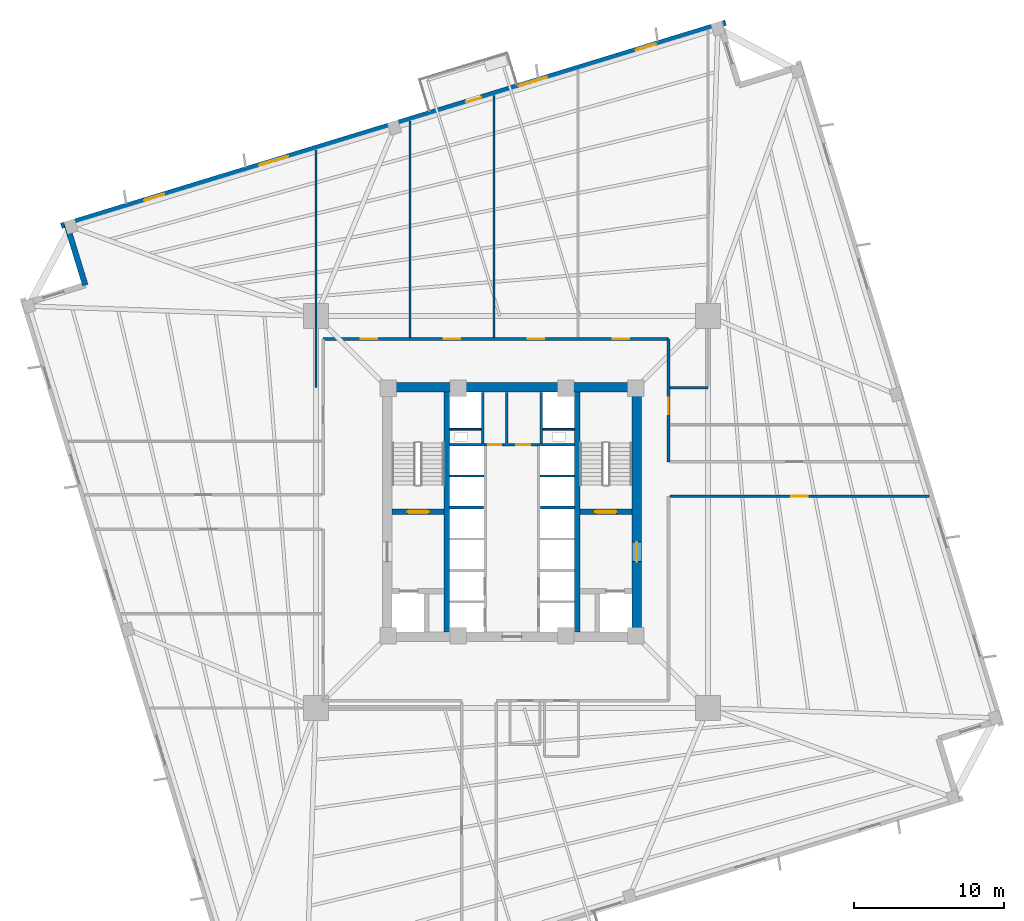
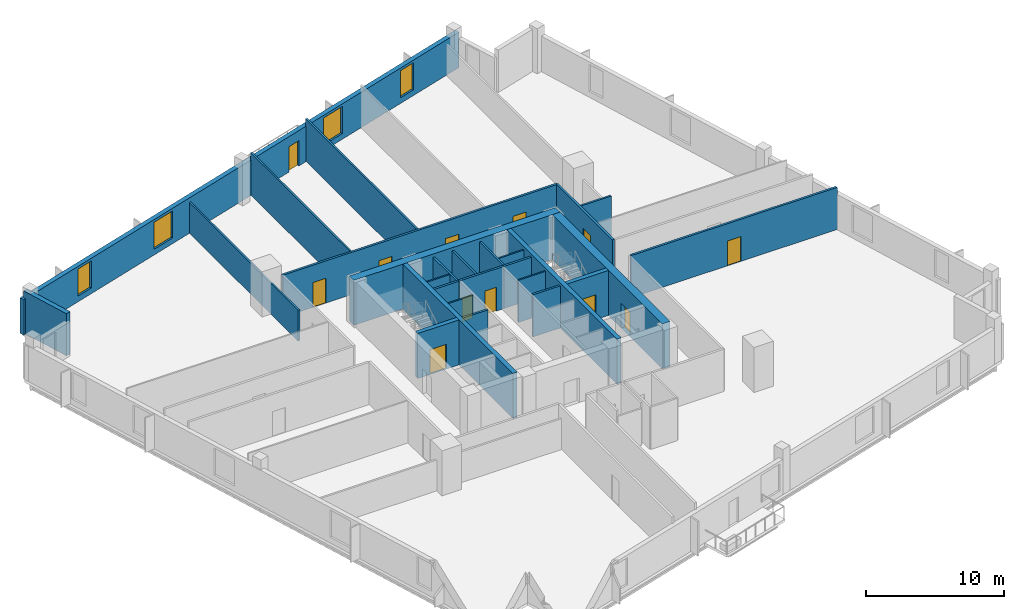
# One storey, part 4 of 8: 27 walls, 12 doors, 4 windows, 16 openings.
"""IFC4 building model written with IfcOpenShell, lengths in metres."""

from ifc_helpers import new_model, si_unit, direction, frame, frame_2d, origin, place, context, subcontext, project, spatial, rectangle, extrude, source, transform, mapped, material, layer, layer_set, type_object, element, fill, save


model = new_model("IFC4")

# Units and contexts
model_context = context("Model", 3, precision=1e-05, world=origin(), true_north=direction((0.0, 1.0)))
body_context = subcontext(model_context, "Body", "Model", "MODEL_VIEW")
ifc_project = project(units=[si_unit("LENGTHUNIT", "METRE"), si_unit("AREAUNIT", "SQUARE_METRE"), si_unit("VOLUMEUNIT", "CUBIC_METRE"), si_unit("PLANEANGLEUNIT", "RADIAN"), si_unit("MASSUNIT", "GRAM", prefix="KILO"), si_unit("THERMODYNAMICTEMPERATUREUNIT", "KELVIN")], contexts=[model_context])

# Site, building, storey
site_placement = place(None, origin())
site = spatial("IfcSite", under=ifc_project, at=site_placement, CompositionType="ELEMENT")
building_placement = place(site_placement, origin())
building = spatial("IfcBuilding", under=site, at=building_placement, Name="Kosmvard Interchange Tower", CompositionType="ELEMENT")
storey_placement = place(building_placement, frame((0.0, 0.0, 91.199951171875)))
storey = spatial("IfcBuildingStorey", under=building, at=storey_placement, Name="L21", CompositionType="ELEMENT", Elevation=91.199951171875)

# Walls
ifc_material_1 = material(Name="Acoustic gypsum partition system")
ifc_layer_1 = layer(ifc_material_1, 0.14990234375, Name="Acoustic gypsum partition system")
ifc_layer_set_1 = layer_set([ifc_layer_1], Name="Acoustic gypsum partition system")
wall_type_1 = type_object("IfcWallType", Name="Acoustic Suite & Meeting Partition 150", PredefinedType="PARTITIONING", material=ifc_layer_set_1)
wall_1_placement = place(storey_placement, frame((-13.0810546875, 8.300048828125, 0.0), z_axis=(0.0, 0.0, 1.0), x_axis=(0.0, 1.0, 0.0)))
element("IfcWall", 1, at=wall_1_placement, inside=storey, type_object=wall_type_1, Name="L21 Room Partition 02.1", PredefinedType="PARTITIONING", context=body_context, shape_type="SweptSolid", body=[
    extrude(rectangle(XDim=15.866455078125, YDim=0.14990234375, at=frame_2d((7.93310546875, 0.0))), origin(), (0.0, 0.0, 1.0), 2.73193359375),
])
wall_2_placement = place(storey_placement, frame((-6.800048828125, 11.64501953125, 0.0), z_axis=(0.0, 0.0, 1.0), x_axis=(0.0, 1.0, 0.0)))
element("IfcWall", 2, at=wall_2_placement, inside=storey, type_object=wall_type_1, Name="L21 Room Partition 03.1", PredefinedType="PARTITIONING", context=body_context, shape_type="SweptSolid", body=[
    extrude(rectangle(XDim=14.441650390625, YDim=0.14990234375, at=frame_2d((7.220703125, 0.0))), origin(), (0.0, 0.0, 1.0), 3.739990234375),
])
wall_3_placement = place(storey_placement, frame((-1.199951171875, 11.64501953125, 0.0), z_axis=(0.0, 0.0, 1.0), x_axis=(0.0, 1.0, 0.0)))
element("IfcWall", 3, at=wall_3_placement, inside=storey, type_object=wall_type_1, Name="L21 Room Partition 04.1", PredefinedType="PARTITIONING", context=body_context, shape_type="SweptSolid", body=[
    extrude(rectangle(XDim=16.15380859375, YDim=0.14990234375, at=frame_2d((8.076904296875, 0.0))), origin(), (0.0, 0.0, 1.0), 3.739990234375),
])
wall_4_placement = place(storey_placement, frame((10.544921875, 8.300048828125, 0.0), z_axis=(0.0, 0.0, 1.0), x_axis=(1.0, 0.0, 0.0)))
element("IfcWall", 4, at=wall_4_placement, inside=storey, type_object=wall_type_1, Name="L21 Room Partition 06.1", PredefinedType="PARTITIONING", context=body_context, shape_type="SweptSolid", body=[
    extrude(rectangle(XDim=2.5361328125, YDim=0.14990234375, at=frame_2d((1.26806640625, 0.0))), origin(), (0.0, 0.0, 1.0), 3.739990234375),
])
ifc_material_2 = material(Name="Fire-rated gypsum partition system")
ifc_layer_2 = layer(ifc_material_2, 0.159912109375, Name="Fire-rated gypsum partition system")
ifc_layer_set_2 = layer_set([ifc_layer_2], Name="Fire-rated gypsum partition system")
wall_type_2 = type_object("IfcWallType", Name="Core Compartment & Shuttle Lobby Partition 160", PredefinedType="PARTITIONING", material=ifc_layer_set_2)
for number, where, z_axis, x_axis, name in (
    (5, (-1.9599609375, 4.580078125, 0.0), (0.0, 0.0, 1.0), (0.0, 1.0, 0.0), "L21 North Core West Wall"),
    (6, (1.9599609375, 4.580078125, 0.0), (0.0, 0.0, 1.0), (0.0, 1.0, 0.0), "L21 North Core East Wall"),
):
    element("IfcWall", number, at=place(storey_placement, frame(where, z_axis=z_axis, x_axis=x_axis)), inside=storey, type_object=wall_type_2, Name=name, PredefinedType="PARTITIONING", context=body_context, shape_type="SweptSolid", body=[
        extrude(rectangle(XDim=3.39990234375, YDim=0.159912109375, at=frame_2d((1.699951171875, 0.0))), origin(), (0.0, 0.0, 1.0), 3.739990234375),
    ])
ifc_material_3 = material(Name="Concrete blockwork masonry", Category="masonry")
ifc_layer_3 = layer(ifc_material_3, 0.159912109375, Name="Concrete blockwork masonry")
ifc_layer_set_3 = layer_set([ifc_layer_3], Name="Concrete blockwork masonry")
wall_type_3 = type_object("IfcWallType", Name="Core Enclosure Split Wall 160", PredefinedType="PARTITIONING", material=ifc_layer_set_3)
wall_5_placement = place(storey_placement, frame((-0.35009765625, 4.60009765625, 0.0), z_axis=(0.0, 0.0, 1.0), x_axis=(0.0, 1.0, 0.0)))
element("IfcWall", 7, at=wall_5_placement, inside=storey, type_object=wall_type_3, Name="L21 Core K2 Split Wall", PredefinedType="PARTITIONING", context=body_context, shape_type="SweptSolid", body=[
    extrude(rectangle(XDim=3.3798828125, YDim=0.159912109375, at=frame_2d((1.68994140625, 0.0))), origin(), (0.0, 0.0, 1.0), 3.739990234375),
])

# Wall, openings, doors
ifc_layer_4 = layer(ifc_material_2, 0.179931640625, Name="Fire-rated gypsum partition system")
ifc_layer_set_4 = layer_set([ifc_layer_4], Name="Fire-rated gypsum partition system")
wall_type_4 = type_object("IfcWallType", Name="Corridor & Hotel Compartment Partition 180", PredefinedType="PARTITIONING", material=ifc_layer_set_4)
wall_6_placement = place(storey_placement, frame((-1.8798828125, 4.489990234375, 0.0), z_axis=(0.0, 0.0, 1.0), x_axis=(1.0, 0.0, 0.0)))
wall_6 = element("IfcWall", 8, at=wall_6_placement, inside=storey, type_object=wall_type_4, Name="L21 Lift Lobby North Partition", PredefinedType="PARTITIONING", context=body_context, shape_type="SweptSolid", body=[
    extrude(rectangle(XDim=3.759765625, YDim=0.179931640625, at=frame_2d((1.8798828125, 0.0))), origin(), (0.0, 0.0, 1.0), 3.739990234375),
])
opening_1_placement = place(wall_6_placement, frame((0.280029296875, 0.0, 0.0)))
opening_1 = element("IfcOpeningElement", 9, at=opening_1_placement, cuts=wall_6, Name="Opening L21-KD1", PredefinedType="OPENING", context=body_context, shape_type="SweptSolid", body=[
    extrude(rectangle(XDim=0.8798828125, YDim=2.10009765625, at=frame_2d((0.43994140625, 1.050048828125))), frame((0.0, 0.10009765625, 0.0), z_axis=(0.0, -1.0, 0.0), x_axis=(1.0, 0.0, 0.0)), (0.0, 0.0, 1.0), 0.199951171875),
])
opening_2_placement = place(wall_6_placement, frame((2.14990234375, 0.0, 0.0)))
opening_2 = element("IfcOpeningElement", 10, at=opening_2_placement, cuts=wall_6, Name="Opening L21-KD2", PredefinedType="OPENING", context=body_context, shape_type="SweptSolid", body=[
    extrude(rectangle(XDim=0.949951171875, YDim=2.10009765625, at=frame_2d((0.47509765625, 1.050048828125))), frame((0.0, 0.10009765625, 0.0), z_axis=(0.0, -1.0, 0.0), x_axis=(1.0, 0.0, 0.0)), (0.0, 0.0, 1.0), 0.199951171875),
])
ifc_material_4 = material(Name="Painted fire-rated timber leaf", Category="wood")
door_type_1 = type_object("IfcDoorType", Name="Core Service Fire Door 950x2100 EI30", OperationType="NOTDEFINED", PredefinedType="DOOR", material=ifc_material_4)
shared_shape_1 = source(origin(), body_context, "Body", "SweptSolid", [
    extrude(rectangle(XDim=0.949951171875, YDim=2.10009765625, at=frame_2d((0.47509765625, 1.050048828125))), frame((0.0, 0.02490234375, 0.0), z_axis=(0.0, -1.0, 0.0), x_axis=(1.0, 0.0, 0.0)), (0.0, 0.0, 1.0), 0.050048828125),
])
door_1_placement = place(opening_2_placement, origin())
door_1 = element("IfcDoor", 11, at=door_1_placement, inside=storey, type_object=door_type_1, Name="L21 Core Tea Pantry Door", OperationType="SINGLE_SWING_RIGHT", OverallHeight=2.10009765625, OverallWidth=0.949951171875, PredefinedType="DOOR", context=body_context, shape_type="MappedRepresentation", body=[
    mapped(shared_shape_1, transform((0.0, 0.0, 0.0), scale=1.0)),
])
fill(opening_2, door_1)
door_type_2 = type_object("IfcDoorType", Name="Core Cupboard Fire Door 880x2100 EI30", OperationType="NOTDEFINED", PredefinedType="DOOR", material=ifc_material_4)
shared_shape_2 = source(origin(), body_context, "Body", "SweptSolid", [
    extrude(rectangle(XDim=0.8798828125, YDim=2.10009765625, at=frame_2d((0.43994140625, 1.050048828125))), frame((0.0, 0.02490234375, 0.0), z_axis=(0.0, -1.0, 0.0), x_axis=(1.0, 0.0, 0.0)), (0.0, 0.0, 1.0), 0.050048828125),
])
door_2_placement = place(opening_1_placement, origin())
door_2 = element("IfcDoor", 12, at=door_2_placement, inside=storey, type_object=door_type_2, Name="L21 Core Cleaner Cupboard Door", OperationType="SINGLE_SWING_LEFT", OverallHeight=2.10009765625, OverallWidth=0.8798828125, PredefinedType="DOOR", context=body_context, shape_type="MappedRepresentation", body=[
    mapped(shared_shape_2, transform((0.0, 0.0, 0.0), scale=1.0)),
])
fill(opening_1, door_2)

wall_7_placement = place(storey_placement, frame((-12.60009765625, 11.550048828125, 0.0), z_axis=(0.0, 0.0, 1.0), x_axis=(1.0, 0.0, 0.0)))
wall_7 = element("IfcWall", 13, at=wall_7_placement, inside=storey, type_object=wall_type_4, Name="L21 Corridor Wall CN", PredefinedType="PARTITIONING", context=body_context, shape_type="SweptSolid", body=[
    extrude(rectangle(XDim=23.050048828125, YDim=0.179931640625, at=frame_2d((11.52490234375, 0.0))), origin(), (0.0, 0.0, 1.0), 3.739990234375),
])
opening_3_placement = place(wall_7_placement, frame((2.514404296875, 0.0, 0.0)))
opening_3 = element("IfcOpeningElement", 14, at=opening_3_placement, cuts=wall_7, Name="Opening L21-D05", PredefinedType="OPENING", context=body_context, shape_type="SweptSolid", body=[
    extrude(rectangle(XDim=1.10009765625, YDim=2.199951171875, at=frame_2d((0.550048828125, 1.10009765625))), frame((0.0, 0.10009765625, 0.0), z_axis=(0.0, -1.0, 0.0), x_axis=(1.0, 0.0, 0.0)), (0.0, 0.0, 1.0), 0.199951171875),
])
opening_4_placement = place(wall_7_placement, frame((8.050048828125, 0.0, 0.0)))
opening_4 = element("IfcOpeningElement", 15, at=opening_4_placement, cuts=wall_7, Name="Opening L21-D06", PredefinedType="OPENING", context=body_context, shape_type="SweptSolid", body=[
    extrude(rectangle(XDim=1.10009765625, YDim=2.199951171875, at=frame_2d((0.550048828125, 1.10009765625))), frame((0.0, 0.10009765625, 0.0), z_axis=(0.0, -1.0, 0.0), x_axis=(1.0, 0.0, 0.0)), (0.0, 0.0, 1.0), 0.199951171875),
])
opening_5_placement = place(wall_7_placement, frame((13.64990234375, 0.0, 0.0)))
opening_5 = element("IfcOpeningElement", 16, at=opening_5_placement, cuts=wall_7, Name="Opening L21-D07", PredefinedType="OPENING", context=body_context, shape_type="SweptSolid", body=[
    extrude(rectangle(XDim=1.10009765625, YDim=2.199951171875, at=frame_2d((0.550048828125, 1.10009765625))), frame((0.0, 0.10009765625, 0.0), z_axis=(0.0, -1.0, 0.0), x_axis=(1.0, 0.0, 0.0)), (0.0, 0.0, 1.0), 0.199951171875),
])
opening_6_placement = place(wall_7_placement, frame((19.310546875, 0.0, 0.0)))
opening_6 = element("IfcOpeningElement", 17, at=opening_6_placement, cuts=wall_7, Name="Opening L21-D08", PredefinedType="OPENING", context=body_context, shape_type="SweptSolid", body=[
    extrude(rectangle(XDim=1.10009765625, YDim=2.199951171875, at=frame_2d((0.550048828125, 1.10009765625))), frame((0.0, 0.10009765625, 0.0), z_axis=(0.0, -1.0, 0.0), x_axis=(1.0, 0.0, 0.0)), (0.0, 0.0, 1.0), 0.199951171875),
])
ifc_material_5 = material(Name="Engineered oak fire-rated timber", Category="wood")
door_type_3 = type_object("IfcDoorType", Name="Office Suite Entrance Door 1100x2200 FD30S", OperationType="NOTDEFINED", PredefinedType="DOOR", material=ifc_material_5)
shared_shape_3 = source(origin(), body_context, "Body", "SweptSolid", [
    extrude(rectangle(XDim=1.10009765625, YDim=2.199951171875, at=frame_2d((0.550048828125, 1.10009765625))), frame((0.0, 0.02490234375, 0.0), z_axis=(0.0, -1.0, 0.0), x_axis=(1.0, 0.0, 0.0)), (0.0, 0.0, 1.0), 0.050048828125),
])
door_3_placement = place(opening_3_placement, origin())
door_3 = element("IfcDoor", 18, at=door_3_placement, inside=storey, type_object=door_type_3, Name="L21 Corporate Office 3 Door", OperationType="SINGLE_SWING_LEFT", OverallHeight=2.199951171875, OverallWidth=1.10009765625, PredefinedType="DOOR", context=body_context, shape_type="MappedRepresentation", body=[
    mapped(shared_shape_3, transform((0.0, 0.0, 0.0), scale=1.0)),
])
fill(opening_3, door_3)
door_4_placement = place(opening_4_placement, origin())
door_4 = element("IfcDoor", 19, at=door_4_placement, inside=storey, type_object=door_type_3, Name="L21 Corporate Office 4 Door", OperationType="SINGLE_SWING_RIGHT", OverallHeight=2.199951171875, OverallWidth=1.10009765625, PredefinedType="DOOR", context=body_context, shape_type="MappedRepresentation", body=[
    mapped(shared_shape_3, transform((0.0, 0.0, 0.0), scale=1.0)),
])
fill(opening_4, door_4)
door_5_placement = place(opening_5_placement, origin())
door_5 = element("IfcDoor", 20, at=door_5_placement, inside=storey, type_object=door_type_3, Name="L21 Corporate Office 5 Door", OperationType="SINGLE_SWING_LEFT", OverallHeight=2.199951171875, OverallWidth=1.10009765625, PredefinedType="DOOR", context=body_context, shape_type="MappedRepresentation", body=[
    mapped(shared_shape_3, transform((0.0, 0.0, 0.0), scale=1.0)),
])
fill(opening_5, door_5)
door_6_placement = place(opening_6_placement, origin())
door_6 = element("IfcDoor", 21, at=door_6_placement, inside=storey, type_object=door_type_3, Name="L21 Boardroom 1 Door", OperationType="SINGLE_SWING_RIGHT", OverallHeight=2.199951171875, OverallWidth=1.10009765625, PredefinedType="DOOR", context=body_context, shape_type="MappedRepresentation", body=[
    mapped(shared_shape_3, transform((0.0, 0.0, 0.0), scale=1.0)),
])
fill(opening_6, door_6)

# Wall, opening, door
wall_8_placement = place(storey_placement, frame((10.449951171875, 3.35009765625, 0.0), z_axis=(0.0, 0.0, 1.0), x_axis=(0.0, 1.0, 0.0)))
wall_8 = element("IfcWall", 22, at=wall_8_placement, inside=storey, type_object=wall_type_4, Name="L21 Corridor Wall CEN", PredefinedType="PARTITIONING", context=body_context, shape_type="SweptSolid", body=[
    extrude(rectangle(XDim=8.199951171875, YDim=0.179931640625, at=frame_2d((4.10009765625, 0.0))), origin(), (0.0, 0.0, 1.0), 3.739990234375),
])
opening_7_placement = place(wall_8_placement, frame((3.16259765625, 0.0, 0.0)))
opening_7 = element("IfcOpeningElement", 23, at=opening_7_placement, cuts=wall_8, Name="Opening L21-D10", PredefinedType="OPENING", context=body_context, shape_type="SweptSolid", body=[
    extrude(rectangle(XDim=1.10009765625, YDim=2.199951171875, at=frame_2d((0.550048828125, 1.10009765625))), frame((0.0, 0.10009765625, 0.0), z_axis=(0.0, -1.0, 0.0), x_axis=(1.0, 0.0, 0.0)), (0.0, 0.0, 1.0), 0.199951171875),
])
door_7_placement = place(opening_7_placement, frame((1.10009765625, 0.0, 0.0), z_axis=(0.0, 0.0, 1.0), x_axis=(-1.0, 0.0, 0.0)))
door_7 = element("IfcDoor", 24, at=door_7_placement, inside=storey, type_object=door_type_3, Name="L21 Corporate Office 7 Door", OperationType="SINGLE_SWING_RIGHT", OverallHeight=2.199951171875, OverallWidth=1.10009765625, PredefinedType="DOOR", context=body_context, shape_type="MappedRepresentation", body=[
    mapped(shared_shape_3, transform((0.0, 0.0, 0.0), scale=1.0)),
])
fill(opening_7, door_7)

wall_9_placement = place(storey_placement, frame((10.550048828125, 1.050048828125, 0.0), z_axis=(0.0, 0.0, 1.0), x_axis=(1.0, 0.0, 0.0)))
wall_9 = element("IfcWall", 25, at=wall_9_placement, inside=storey, type_object=wall_type_4, Name="L21 Corridor Wall SES", PredefinedType="PARTITIONING", context=body_context, shape_type="SweptSolid", body=[
    extrude(rectangle(XDim=17.294677734375, YDim=0.179931640625, at=frame_2d((8.6474609375, 0.0))), origin(), (0.0, 0.0, 1.0), 3.739990234375),
])
opening_8_placement = place(wall_9_placement, frame((8.097412109375, 0.0, 0.0)))
opening_8 = element("IfcOpeningElement", 26, at=opening_8_placement, cuts=wall_9, Name="Opening L21-D11", PredefinedType="OPENING", context=body_context, shape_type="SweptSolid", body=[
    extrude(rectangle(XDim=1.10009765625, YDim=2.199951171875, at=frame_2d((0.550048828125, 1.10009765625))), frame((0.0, 0.10009765625, 0.0), z_axis=(0.0, -1.0, 0.0), x_axis=(1.0, 0.0, 0.0)), (0.0, 0.0, 1.0), 0.199951171875),
])
door_8_placement = place(opening_8_placement, frame((1.10009765625, 0.0, 0.0), z_axis=(0.0, 0.0, 1.0), x_axis=(-1.0, 0.0, 0.0)))
door_8 = element("IfcDoor", 27, at=door_8_placement, inside=storey, type_object=door_type_3, Name="L21 South-East Corporate Open Workplace Door", OperationType="SINGLE_SWING_LEFT", OverallHeight=2.199951171875, OverallWidth=1.10009765625, PredefinedType="DOOR", context=body_context, shape_type="MappedRepresentation", body=[
    mapped(shared_shape_3, transform((0.0, 0.0, 0.0), scale=1.0)),
])
fill(opening_8, door_8)

# Wall, openings, door, windows
ifc_material_6 = material(Name="Precast concrete C45/55", Category="concrete")
ifc_layer_5 = layer(ifc_material_6, 0.3798828125, Name="Precast concrete C45/55")
ifc_layer_set_5 = layer_set([ifc_layer_5], Name="Precast concrete C45/55")
wall_type_5 = type_object("IfcWallType", Name="Lower Tower Precast Pier Wall 380 C45/55", PredefinedType="STANDARD", material=ifc_layer_set_5)
wall_10_placement = place(storey_placement, frame((14.26513671875, 32.65771484375, 0.0), z_axis=(0.0, 0.0, 1.0), x_axis=(-0.956304320851, -0.292373127906, 0.0)))
wall_10 = element("IfcWall", 28, at=wall_10_placement, inside=storey, type_object=wall_type_5, Name="L21 Precast Facade Wall F-N", PredefinedType="STANDARD", context=body_context, shape_type="SweptSolid", body=[
    extrude(rectangle(XDim=46.380126953125, YDim=0.3798828125, at=frame_2d((23.18994140625, 0.0))), origin(), (0.0, 0.0, 1.0), 3.14013671875),
])
opening_9_placement = place(wall_10_placement, frame((17.06494140625, 0.0, 0.0)))
opening_9 = element("IfcOpeningElement", 29, at=opening_9_placement, cuts=wall_10, Name="Opening L21-BDN", PredefinedType="OPENING", context=body_context, shape_type="SweptSolid", body=[
    extrude(rectangle(XDim=1.050048828125, YDim=2.25, at=frame_2d((0.52490234375, 1.125))), frame((0.0, 0.199951171875, 0.0), z_axis=(0.0, -1.0, 0.0), x_axis=(1.0, 0.0, 0.0)), (0.0, 0.0, 1.0), 0.39990234375),
])
opening_10_placement = place(wall_10_placement, frame((4.865478515625, 0.0, 0.510009765625)))
opening_10 = element("IfcOpeningElement", 30, at=opening_10_placement, cuts=wall_10, Name="Opening L21-W09", PredefinedType="OPENING", context=body_context, shape_type="SweptSolid", body=[
    extrude(rectangle(XDim=1.39990234375, YDim=2.39990234375, at=frame_2d((0.699951171875, 1.199951171875))), frame((0.0, 0.199951171875, 0.0), z_axis=(0.0, -1.0, 0.0), x_axis=(1.0, 0.0, 0.0)), (0.0, 0.0, 1.0), 0.39990234375),
])
opening_11_placement = place(wall_10_placement, frame((12.4501953125, 0.0, 0.510009765625)))
opening_11 = element("IfcOpeningElement", 31, at=opening_11_placement, cuts=wall_10, Name="Opening L21-W10", PredefinedType="OPENING", context=body_context, shape_type="SweptSolid", body=[
    extrude(rectangle(XDim=2.0, YDim=2.39990234375, at=frame_2d((1.0, 1.199951171875))), frame((0.0, 0.199951171875, 0.0), z_axis=(0.0, -1.0, 0.0), x_axis=(1.0, 0.0, 0.0)), (0.0, 0.0, 1.0), 0.39990234375),
])
opening_12_placement = place(wall_10_placement, frame((30.538330078125, 0.0, 0.510009765625)))
opening_12 = element("IfcOpeningElement", 32, at=opening_12_placement, cuts=wall_10, Name="Opening L21-W11", PredefinedType="OPENING", context=body_context, shape_type="SweptSolid", body=[
    extrude(rectangle(XDim=2.0, YDim=2.39990234375, at=frame_2d((1.0, 1.199951171875))), frame((0.0, 0.199951171875, 0.0), z_axis=(0.0, -1.0, 0.0), x_axis=(1.0, 0.0, 0.0)), (0.0, 0.0, 1.0), 0.39990234375),
])
opening_13_placement = place(wall_10_placement, frame((39.186767578125, 0.0, 0.510009765625)))
opening_13 = element("IfcOpeningElement", 33, at=opening_13_placement, cuts=wall_10, Name="Opening L21-W12", PredefinedType="OPENING", context=body_context, shape_type="SweptSolid", body=[
    extrude(rectangle(XDim=1.39990234375, YDim=2.39990234375, at=frame_2d((0.699951171875, 1.199951171875))), frame((0.0, 0.199951171875, 0.0), z_axis=(0.0, -1.0, 0.0), x_axis=(1.0, 0.0, 0.0)), (0.0, 0.0, 1.0), 0.39990234375),
])
ifc_material_7 = material(Name="Anodised aluminium and safety glass", Category="aluminium")
door_type_4 = type_object("IfcDoorType", Name="Tree-Balcony Glazed Door 1050x2250", OperationType="NOTDEFINED", PredefinedType="DOOR", material=ifc_material_7)
shared_shape_4 = source(origin(), body_context, "Body", "SweptSolid", [
    extrude(rectangle(XDim=1.050048828125, YDim=2.25, at=frame_2d((0.52490234375, 1.125))), frame((0.0, 0.02490234375, 0.0), z_axis=(0.0, -1.0, 0.0), x_axis=(1.0, 0.0, 0.0)), (0.0, 0.0, 1.0), 0.050048828125),
])
door_9_placement = place(opening_9_placement, origin())
door_9 = element("IfcDoor", 34, at=door_9_placement, inside=storey, type_object=door_type_4, Name="L21 Tree-Balcony Door BAL-L21-N", OperationType="SINGLE_SWING_RIGHT", OverallHeight=2.25, OverallWidth=1.050048828125, PredefinedType="DOOR", context=body_context, shape_type="MappedRepresentation", body=[
    mapped(shared_shape_4, transform((0.0, 0.0, 0.0), scale=1.0)),
])
fill(opening_9, door_9)
ifc_material_8 = material(Name="Low-E solar-control double glazing", Category="glass")
window_type_1 = type_object("IfcWindowType", Name="Notched Corner Feature Window 1400x2400", PartitioningType="SINGLE_PANEL", PredefinedType="WINDOW", material=ifc_material_8)
shared_shape_5 = source(origin(), body_context, "Body", "SweptSolid", [
    extrude(rectangle(XDim=1.39990234375, YDim=2.39990234375, at=frame_2d((0.699951171875, 1.199951171875))), frame((0.0, 0.030029296875, 0.0), z_axis=(0.0, -1.0, 0.0), x_axis=(1.0, 0.0, 0.0)), (0.0, 0.0, 1.0), 0.06005859375),
])
window_1_placement = place(opening_10_placement, origin())
window_1 = element("IfcWindow", 35, at=window_1_placement, inside=storey, type_object=window_type_1, Name="L21 Facade Punched Window 09", OverallHeight=2.39990234375, OverallWidth=1.39990234375, PartitioningType="SINGLE_PANEL", PredefinedType="WINDOW", context=body_context, shape_type="MappedRepresentation", body=[
    mapped(shared_shape_5, transform((0.0, 0.0, 0.0), scale=1.0)),
])
fill(opening_10, window_1)
window_2_placement = place(opening_13_placement, origin())
window_2 = element("IfcWindow", 36, at=window_2_placement, inside=storey, type_object=window_type_1, Name="L21 Facade Punched Window 12", OverallHeight=2.39990234375, OverallWidth=1.39990234375, PartitioningType="SINGLE_PANEL", PredefinedType="WINDOW", context=body_context, shape_type="MappedRepresentation", body=[
    mapped(shared_shape_5, transform((0.0, 0.0, 0.0), scale=1.0)),
])
fill(opening_13, window_2)
window_type_2 = type_object("IfcWindowType", Name="Zone 2 Office Punched Window 2000x2400", PartitioningType="SINGLE_PANEL", PredefinedType="WINDOW", material=ifc_material_8)
shared_shape_6 = source(origin(), body_context, "Body", "SweptSolid", [
    extrude(rectangle(XDim=2.0, YDim=2.39990234375, at=frame_2d((1.0, 1.199951171875))), frame((0.0, 0.030029296875, 0.0), z_axis=(0.0, -1.0, 0.0), x_axis=(1.0, 0.0, 0.0)), (0.0, 0.0, 1.0), 0.06005859375),
])
window_3_placement = place(opening_11_placement, origin())
window_3 = element("IfcWindow", 37, at=window_3_placement, inside=storey, type_object=window_type_2, Name="L21 Facade Punched Window 10", OverallHeight=2.39990234375, OverallWidth=2.0, PartitioningType="SINGLE_PANEL", PredefinedType="WINDOW", context=body_context, shape_type="MappedRepresentation", body=[
    mapped(shared_shape_6, transform((0.0, 0.0, 0.0), scale=1.0)),
])
fill(opening_11, window_3)
window_4_placement = place(opening_12_placement, origin())
window_4 = element("IfcWindow", 38, at=window_4_placement, inside=storey, type_object=window_type_2, Name="L21 Facade Punched Window 11", OverallHeight=2.39990234375, OverallWidth=2.0, PartitioningType="SINGLE_PANEL", PredefinedType="WINDOW", context=body_context, shape_type="MappedRepresentation", body=[
    mapped(shared_shape_6, transform((0.0, 0.0, 0.0), scale=1.0)),
])
fill(opening_12, window_4)

# Walls
wall_11_placement = place(storey_placement, frame((-29.724853515625, 19.20849609375, 0.0), z_axis=(0.0, 0.0, 1.0), x_axis=(0.292345507338, -0.956312764915, 0.0)))
element("IfcWall", 39, at=wall_11_placement, inside=storey, type_object=wall_type_5, Name="L21 Precast Facade Wall N-NW1", PredefinedType="STANDARD", context=body_context, shape_type="SweptSolid", body=[
    extrude(rectangle(XDim=4.249755859375, YDim=0.3798828125, at=frame_2d((2.125, 0.0))), origin(), (0.0, 0.0, 1.0), 3.739990234375),
])
ifc_material_9 = material(Name="Concrete C70/85", Category="concrete")
ifc_layer_6 = layer(ifc_material_9, 0.64990234375, Name="Concrete C70/85")
ifc_layer_set_6 = layer_set([ifc_layer_6], Name="Concrete C70/85")
wall_type_6 = type_object("IfcWallType", Name="Mid Core Shear Wall 650 C70/85", PredefinedType="SHEAR", material=ifc_layer_set_6)
wall_12_placement = place(storey_placement, frame((-8.64990234375, 8.324951171875, 0.0), z_axis=(0.0, 0.0, 1.0), x_axis=(1.0, 0.0, 0.0)))
element("IfcWall", 40, at=wall_12_placement, inside=storey, type_object=wall_type_6, Name="L21 Core Shear Wall CW-N", PredefinedType="SHEAR", context=body_context, shape_type="SweptSolid", body=[
    extrude(rectangle(XDim=17.2998046875, YDim=0.64990234375, at=frame_2d((8.64990234375, 0.0))), origin(), (0.0, 0.0, 1.0), 4.0),
])

# Wall, opening, door
wall_13_placement = place(storey_placement, frame((8.324951171875, -8.0, 0.0), z_axis=(0.0, 0.0, 1.0), x_axis=(0.0, 1.0, 0.0)))
wall_13 = element("IfcWall", 41, at=wall_13_placement, inside=storey, type_object=wall_type_6, Name="L21 Core Shear Wall CW-E", PredefinedType="SHEAR", context=body_context, shape_type="SweptSolid", body=[
    extrude(rectangle(XDim=16.0, YDim=0.64990234375, at=frame_2d((8.0, 0.0))), origin(), (0.0, 0.0, 1.0), 4.0),
])
opening_14_placement = place(wall_13_placement, frame((4.68994140625, 0.0, 0.0)))
opening_14 = element("IfcOpeningElement", 42, at=opening_14_placement, cuts=wall_13, Name="Opening L21-FD2", PredefinedType="OPENING", context=body_context, shape_type="SweptSolid", body=[
    extrude(rectangle(XDim=1.300048828125, YDim=2.199951171875, at=frame_2d((0.64990234375, 1.10009765625))), frame((0.0, 0.3349609375, 0.0), z_axis=(0.0, -1.0, 0.0), x_axis=(1.0, 0.0, 0.0)), (0.0, 0.0, 1.0), 0.669921875),
])
ifc_material_10 = material(Name="Painted fire-rated steel leaf", Category="steel")
door_type_5 = type_object("IfcDoorType", Name="Firefighting Lobby Door 1300x2200 EI60", OperationType="NOTDEFINED", PredefinedType="DOOR", material=ifc_material_10)
shared_shape_7 = source(origin(), body_context, "Body", "SweptSolid", [
    extrude(rectangle(XDim=1.300048828125, YDim=2.199951171875, at=frame_2d((0.64990234375, 1.10009765625))), frame((0.0, 0.02490234375, 0.0), z_axis=(0.0, -1.0, 0.0), x_axis=(1.0, 0.0, 0.0)), (0.0, 0.0, 1.0), 0.050048828125),
])
door_10_placement = place(opening_14_placement, origin())
door_10 = element("IfcDoor", 43, at=door_10_placement, inside=storey, type_object=door_type_5, Name="L21 Firefighting Lobby East Door", OperationType="SINGLE_SWING_RIGHT", OverallHeight=2.199951171875, OverallWidth=1.300048828125, PredefinedType="DOOR", context=body_context, shape_type="MappedRepresentation", body=[
    mapped(shared_shape_7, transform((0.0, 0.0, 0.0), scale=1.0)),
])
fill(opening_14, door_10)

# Walls
ifc_layer_7 = layer(ifc_material_3, 0.179931640625, Name="Concrete blockwork masonry")
ifc_layer_set_7 = layer_set([ifc_layer_7], Name="Concrete blockwork masonry")
wall_type_7 = type_object("IfcWallType", Name="Riser & Lift Bank Divider Wall 180", PredefinedType="PARTITIONING", material=ifc_layer_set_7)
for number, where, z_axis, x_axis, name in (
    (44, (-4.169921875, 0.300048828125, 0.0), (0.0, 0.0, 1.0), (1.0, 0.0, 0.0), "L21 West Bank Divider BD2"),
    (45, (1.889892578125, 0.300048828125, 0.0), (0.0, 0.0, 1.0), (1.0, 0.0, 0.0), "L21 East Bank Divider BD2"),
    (46, (-4.169921875, 4.489990234375, 0.0), (0.0, 0.0, 1.0), (1.0, 0.0, 0.0), "L21 West Bank Divider BD3"),
    (47, (1.889892578125, 4.489990234375, 0.0), (0.0, 0.0, 1.0), (1.0, 0.0, 0.0), "L21 East Bank Divider BD3"),
):
    element("IfcWall", number, at=place(storey_placement, frame(where, z_axis=z_axis, x_axis=x_axis)), inside=storey, type_object=wall_type_7, Name=name, PredefinedType="PARTITIONING", context=body_context, shape_type="SweptSolid", body=[
        extrude(rectangle(XDim=2.280029296875, YDim=0.179931640625, at=frame_2d((1.14013671875, 0.0))), origin(), (0.0, 0.0, 1.0), 3.739990234375),
    ])
ifc_material_11 = material(Name="Fire-rated gypsum shaftwall system")
ifc_layer_8 = layer(ifc_material_11, 0.1201171875, Name="Fire-rated gypsum shaftwall system")
ifc_layer_set_8 = layer_set([ifc_layer_8], Name="Fire-rated gypsum shaftwall system")
wall_type_8 = type_object("IfcWallType", Name="Shaft & Riser Fire Partition 120 EI60", PredefinedType="PARTITIONING", material=ifc_layer_set_8)
for number, where, z_axis, x_axis, name in (
    (48, (-4.159912109375, 2.39990234375, 0.0), (0.0, 0.0, 1.0), (1.0, 0.0, 0.0), "L21 Shaft Divider PL-H1"),
    (49, (1.89990234375, 2.39990234375, 0.0), (0.0, 0.0, 1.0), (1.0, 0.0, 0.0), "L21 Shaft Divider PL-H3"),
):
    element("IfcWall", number, at=place(storey_placement, frame(where, z_axis=z_axis, x_axis=x_axis)), inside=storey, type_object=wall_type_8, Name=name, PredefinedType="PARTITIONING", context=body_context, shape_type="SweptSolid", body=[
        extrude(rectangle(XDim=2.260009765625, YDim=0.1201171875, at=frame_2d((1.1298828125, 0.0))), origin(), (0.0, 0.0, 1.0), 3.739990234375),
    ])
for number, where, z_axis, x_axis, name in (
    (50, (-4.159912109375, 5.52001953125, 0.0), (0.0, 0.0, 1.0), (1.0, 0.0, 0.0), "L21 Riser Shaft Divider W"),
    (51, (2.06005859375, 5.52001953125, 0.0), (0.0, 0.0, 1.0), (1.0, 0.0, 0.0), "L21 Riser Shaft Divider E"),
):
    element("IfcWall", number, at=place(storey_placement, frame(where, z_axis=z_axis, x_axis=x_axis)), inside=storey, type_object=wall_type_8, Name=name, PredefinedType="PARTITIONING", context=body_context, shape_type="SweptSolid", body=[
        extrude(rectangle(XDim=2.099853515625, YDim=0.1201171875, at=frame_2d((1.0498046875, 0.0))), origin(), (0.0, 0.0, 1.0), 3.739990234375),
    ])
ifc_material_12 = material(Name="Concrete C60/75", Category="concrete")
ifc_layer_9 = layer(ifc_material_12, 0.360107421875, Name="Concrete C60/75")
ifc_layer_set_9 = layer_set([ifc_layer_9], Name="Concrete C60/75")
wall_type_9 = type_object("IfcWallType", Name="Stair & Lift Shaft Shear Wall 360 C60/75", PredefinedType="SHEAR", material=ifc_layer_set_9)
for number, where, z_axis, x_axis, name in (
    (52, (-4.360107421875, -8.0, 0.0), (0.0, 0.0, 1.0), (0.0, 1.0, 0.0), "L21 Shaft Shear Wall SW-W"),
    (53, (4.360107421875, -8.0, 0.0), (0.0, 0.0, 1.0), (0.0, 1.0, 0.0), "L21 Shaft Shear Wall SW-E"),
):
    element("IfcWall", number, at=place(storey_placement, frame(where, z_axis=z_axis, x_axis=x_axis)), inside=storey, type_object=wall_type_9, Name=name, PredefinedType="SHEAR", context=body_context, shape_type="SweptSolid", body=[
        extrude(rectangle(XDim=16.0, YDim=0.360107421875, at=frame_2d((8.0, 0.0))), origin(), (0.0, 0.0, 1.0), 4.0),
    ])

# Wall, opening, door
wall_14_placement = place(storey_placement, frame((-8.0, 0.02001953125, 0.0), z_axis=(0.0, 0.0, 1.0), x_axis=(1.0, 0.0, 0.0)))
wall_14 = element("IfcWall", 54, at=wall_14_placement, inside=storey, type_object=wall_type_9, Name="L21 Shaft Shear Wall SW-ST1", PredefinedType="SHEAR", context=body_context, shape_type="SweptSolid", body=[
    extrude(rectangle(XDim=3.4599609375, YDim=0.360107421875, at=frame_2d((1.72998046875, 0.0))), origin(), (0.0, 0.0, 1.0), 4.0),
])
opening_15_placement = place(wall_14_placement, frame((1.030029296875, 0.0, 0.0)))
opening_15 = element("IfcOpeningElement", 55, at=opening_15_placement, cuts=wall_14, Name="Opening L21-SD1", PredefinedType="OPENING", context=body_context, shape_type="SweptSolid", body=[
    extrude(rectangle(XDim=1.39990234375, YDim=2.199951171875, at=frame_2d((0.699951171875, 1.10009765625))), frame((0.0, 0.18994140625, 0.0), z_axis=(0.0, -1.0, 0.0), x_axis=(1.0, 0.0, 0.0)), (0.0, 0.0, 1.0), 0.380126953125),
])
door_type_6 = type_object("IfcDoorType", Name="Protected Stair Door 1400x2200 FD60S", OperationType="NOTDEFINED", PredefinedType="DOOR", material=ifc_material_10)
shared_shape_8 = source(origin(), body_context, "Body", "SweptSolid", [
    extrude(rectangle(XDim=1.39990234375, YDim=2.199951171875, at=frame_2d((0.699951171875, 1.10009765625))), frame((0.0, 0.02490234375, 0.0), z_axis=(0.0, -1.0, 0.0), x_axis=(1.0, 0.0, 0.0)), (0.0, 0.0, 1.0), 0.050048828125),
])
door_11_placement = place(opening_15_placement, origin())
door_11 = element("IfcDoor", 56, at=door_11_placement, inside=storey, type_object=door_type_6, Name="L21 Stair ST-1 Enclosure Door", OperationType="SINGLE_SWING_LEFT", OverallHeight=2.199951171875, OverallWidth=1.39990234375, PredefinedType="DOOR", context=body_context, shape_type="MappedRepresentation", body=[
    mapped(shared_shape_8, transform((0.0, 0.0, 0.0), scale=1.0)),
])
fill(opening_15, door_11)

wall_15_placement = place(storey_placement, frame((4.5400390625, 0.02001953125, 0.0), z_axis=(0.0, 0.0, 1.0), x_axis=(1.0, 0.0, 0.0)))
wall_15 = element("IfcWall", 57, at=wall_15_placement, inside=storey, type_object=wall_type_9, Name="L21 Shaft Shear Wall SW-ST2", PredefinedType="SHEAR", context=body_context, shape_type="SweptSolid", body=[
    extrude(rectangle(XDim=3.4599609375, YDim=0.360107421875, at=frame_2d((1.72998046875, 0.0))), origin(), (0.0, 0.0, 1.0), 4.0),
])
opening_16_placement = place(wall_15_placement, frame((1.030029296875, 0.0, 0.0)))
opening_16 = element("IfcOpeningElement", 58, at=opening_16_placement, cuts=wall_15, Name="Opening L21-SD2", PredefinedType="OPENING", context=body_context, shape_type="SweptSolid", body=[
    extrude(rectangle(XDim=1.39990234375, YDim=2.199951171875, at=frame_2d((0.699951171875, 1.10009765625))), frame((0.0, 0.18994140625, 0.0), z_axis=(0.0, -1.0, 0.0), x_axis=(1.0, 0.0, 0.0)), (0.0, 0.0, 1.0), 0.380126953125),
])
door_12_placement = place(opening_16_placement, origin())
door_12 = element("IfcDoor", 59, at=door_12_placement, inside=storey, type_object=door_type_6, Name="L21 Stair ST-2 Enclosure Door", OperationType="SINGLE_SWING_RIGHT", OverallHeight=2.199951171875, OverallWidth=1.39990234375, PredefinedType="DOOR", context=body_context, shape_type="MappedRepresentation", body=[
    mapped(shared_shape_8, transform((0.0, 0.0, 0.0), scale=1.0)),
])
fill(opening_16, door_12)

save(model, "model.ifc")
